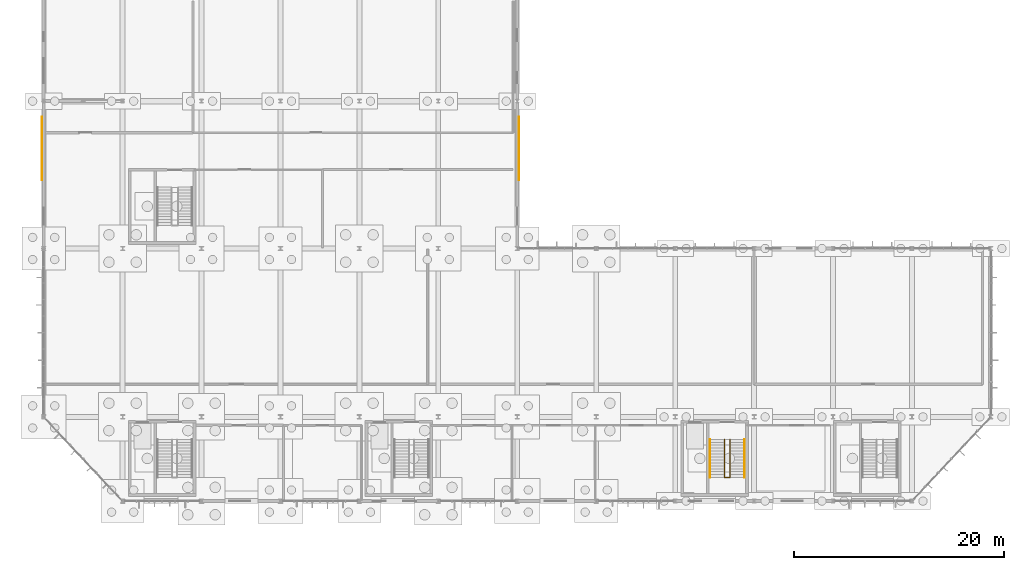
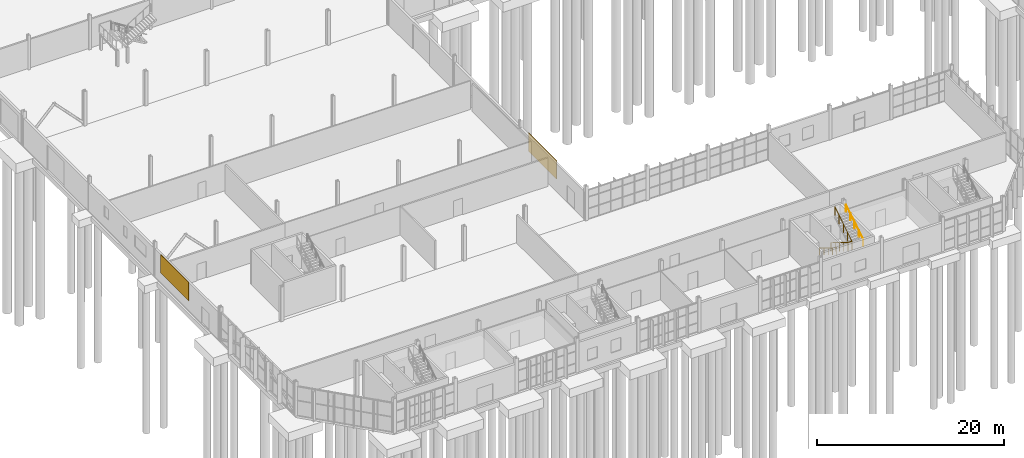
# One storey, part 121 of 136: 3 railings, 2 coverings.
"""IFC4 building model written with IfcOpenShell, lengths in metres."""

import ifcopenshell
import ifcopenshell.guid

model = None  # the IFC model being written
_history = None  # IfcOwnerHistory: only IFC2X3 demands one
_inside = {}  # id of a spatial element -> (the spatial element, [elements in it])
_under = {}  # id of a project, library or spatial element -> (it, [spatial elements below it])
_declared = {}  # id of a project -> (the project, [libraries it declares])
_typed = {}  # id of a type object -> (the type object, [elements of that type])
_made_of = {}  # id of a material, layer set ... -> (it, [elements and type objects made of it])


def new_model(schema):
    """Start an empty IFC model of exactly this schema.

    Asked for "IFC4X3", IfcOpenShell would pick the latest addendum, in which some entities
    have other attributes; the version numbers below select the first issue.
    IFC2X3 requires an IfcOwnerHistory on every rooted entity: one is made here for all.
    """
    global model, _history
    if schema == "IFC4X3":
        model = ifcopenshell.file(schema_version=(4, 3, 0, 0))
    else:
        model = ifcopenshell.file(schema=schema)
    _inside.clear()
    _under.clear()
    _declared.clear()
    _typed.clear()
    _made_of.clear()
    _history = None
    if model.schema == "IFC2X3":
        org = make("IfcOrganization", Name="unknown")
        user = make(
            "IfcPersonAndOrganization",
            ThePerson=make("IfcPerson", FamilyName="unknown"),
            TheOrganization=org,
        )
        app = make(
            "IfcApplication",
            ApplicationDeveloper=org,
            Version="unknown",
            ApplicationFullName="unknown",
            ApplicationIdentifier="unknown",
        )
        _history = make(
            "IfcOwnerHistory",
            OwningUser=user,
            OwningApplication=app,
            ChangeAction="ADDED",
            CreationDate=0,
        )
    return model


def make(cls, **values):
    """One entity of the class cls with the attributes given. An attribute that is None is left unset."""
    return model.create_entity(
        cls, **{name: value for name, value in values.items() if value is not None}
    )


def rooted(cls, **values):
    """An entity with a GlobalId (a new one), such as an element, a storey or a relation."""
    return make(cls, GlobalId=ifcopenshell.guid.new(), OwnerHistory=_history, **values)


def si_unit(unit_type, name, prefix=None):
    """IfcSIUnit, for example si_unit("LENGTHUNIT", "METRE", prefix="MILLI")."""
    return make("IfcSIUnit", UnitType=unit_type, Prefix=prefix, Name=name)


def assignment(units):
    """IfcUnitAssignment: the units of a project."""
    return None if units is None else make("IfcUnitAssignment", Units=units)


def point(xyz):
    """IfcCartesianPoint."""
    return None if xyz is None else make("IfcCartesianPoint", Coordinates=xyz)


def direction(xyz):
    """IfcDirection."""
    return None if xyz is None else make("IfcDirection", DirectionRatios=xyz)


def frame(location, z_axis=None, x_axis=None):
    """IfcAxis2Placement3D, a coordinate frame: its origin and axes. An axis left out is left unset."""
    return make(
        "IfcAxis2Placement3D",
        Location=point(location),
        Axis=direction(z_axis),
        RefDirection=direction(x_axis),
    )


def frame_2d(location, x_axis=None):
    """IfcAxis2Placement2D, a coordinate frame in the plane: its origin and x axis."""
    return make(
        "IfcAxis2Placement2D", Location=point(location), RefDirection=direction(x_axis)
    )


def origin():
    """The frame at (0, 0, 0) with its axes left unset."""
    return frame((0.0, 0.0, 0.0))


def origin_2d():
    """The frame at (0, 0) in the plane with its x axis left unset."""
    return frame_2d((0.0, 0.0))


def place(relative_to, where):
    """IfcLocalPlacement: puts the frame where relative to a parent placement (None: the world)."""
    return make(
        "IfcLocalPlacement", PlacementRelTo=relative_to, RelativePlacement=where
    )


def context(
    kind, dimensions, precision=None, world=None, true_north=None, identifier=None
):
    """IfcGeometricRepresentationContext, for example the 3D "Model" context."""
    return make(
        "IfcGeometricRepresentationContext",
        ContextIdentifier=identifier,
        ContextType=kind,
        CoordinateSpaceDimension=dimensions,
        Precision=precision,
        WorldCoordinateSystem=world,
        TrueNorth=true_north,
    )


def subcontext(parent, identifier, kind, view, scale=None):
    """IfcGeometricRepresentationSubContext, for example "Body" below "Model"."""
    return make(
        "IfcGeometricRepresentationSubContext",
        ContextIdentifier=identifier,
        ContextType=kind,
        ParentContext=parent,
        TargetScale=scale,
        TargetView=view,
    )


def project(units=None, contexts=None):
    """IfcProject with its units and contexts."""
    return rooted(
        "IfcProject",
        Name="project",
        RepresentationContexts=contexts,
        UnitsInContext=assignment(units),
    )


def spatial(cls, under=None, at=None, **own):
    """A site, building, storey or space (cls), placed at a placement, below another one or the project."""
    s = rooted(cls, ObjectPlacement=at, **own)
    if under is not None:
        _under.setdefault(under.id(), (under, []))[1].append(s)
    return s


def profile(cls, at=None, kind="AREA", **sizes):
    """A parametric profile (cls). Its sizes go by their IFC names, for example OverallWidth=200.0."""
    return make(cls, ProfileType=kind, Position=at, **sizes)


def rectangle(**sizes):
    """IfcRectangleProfileDef."""
    return profile("IfcRectangleProfileDef", **sizes)


def circle(**sizes):
    """IfcCircleProfileDef."""
    return profile("IfcCircleProfileDef", **sizes)


def extrude(swept, where, along, depth):
    """IfcExtrudedAreaSolid: the profile swept, set in the frame where, extruded along a direction by depth."""
    return make(
        "IfcExtrudedAreaSolid",
        SweptArea=swept,
        Position=where,
        ExtrudedDirection=direction(along),
        Depth=depth,
    )


def shape(context_of_items, identifier, shape_type, items):
    """IfcShapeRepresentation: the items that make up one representation, for example the "Body"."""
    return make(
        "IfcShapeRepresentation",
        ContextOfItems=context_of_items,
        RepresentationIdentifier=identifier,
        RepresentationType=shape_type,
        Items=items,
    )


def material(Name=None, Category=None):
    """IfcMaterial."""
    return make("IfcMaterial", Name=Name, Category=Category)


def layer(
    of_material, thickness, ventilated=None, Name=None, Category=None, Priority=None
):
    """IfcMaterialLayer: one layer of a wall or slab, of a material (None: an air gap)."""
    return make(
        "IfcMaterialLayer",
        Material=of_material,
        LayerThickness=thickness,
        IsVentilated=ventilated,
        Name=Name,
        Category=Category,
        Priority=Priority,
    )


def layer_set(layers, Name=None):
    """IfcMaterialLayerSet."""
    return make("IfcMaterialLayerSet", MaterialLayers=layers, LayerSetName=Name)


def made_of(thing, what):
    """Note that an element or type object is made of a material, layer set ...; save() writes the relation."""
    if what is not None:
        _made_of.setdefault(what.id(), (what, []))[1].append(thing)
    return thing


def type_object(cls, material=None, **own):
    """A type object (cls), such as IfcWallType, which elements share."""
    return made_of(rooted(cls, **own), material)


def element(
    cls,
    number,
    at=None,
    inside=None,
    cuts=None,
    type_object=None,
    material=None,
    context=None,
    identifier="Body",
    shape_type=None,
    held_by="IfcProductDefinitionShape",
    body=None,
    shapes=None,
    **own,
):
    """One element of the class cls, such as IfcWall. Its Tag is "e" and its number.

    at: its placement. inside: the storey or other place that contains it. cuts: it is an
    opening in that element (IfcRelVoidsElement). A single representation is given by context,
    identifier, shape_type and body (its items); several are given by shapes. held_by: the class
    of the entity that holds the representations. save() writes the other relations.
    """
    e = rooted(cls, Tag="e%d" % number, ObjectPlacement=at, **own)
    if body is not None:
        shapes = [shape(context, identifier, shape_type, body)]
    if shapes is not None:
        e.Representation = make(held_by, Representations=shapes)
    if inside is not None:
        _inside.setdefault(inside.id(), (inside, []))[1].append(e)
    if cuts is not None:
        rooted(
            "IfcRelVoidsElement", RelatingBuildingElement=cuts, RelatedOpeningElement=e
        )
    if type_object is not None:
        _typed.setdefault(type_object.id(), (type_object, []))[1].append(e)
    return made_of(e, material)


def aggregate(whole, parts):
    """IfcRelAggregates: a whole, such as a stair, and the parts it consists of."""
    return rooted("IfcRelAggregates", RelatingObject=whole, RelatedObjects=parts)


def save(model, path):
    """Write the relations noted so far, then the file.

    IfcRelAggregates (storeys below a building ...), IfcRelContainedInSpatialStructure (elements
    in a storey), IfcRelDefinesByType, IfcRelAssociatesMaterial and IfcRelDeclares: one each for
    every whole, place, type object, material and project.
    """
    for whole, parts in _under.values():
        aggregate(whole, parts)
    for where, things in _inside.values():
        rooted(
            "IfcRelContainedInSpatialStructure",
            RelatedElements=things,
            RelatingStructure=where,
        )
    for kind, things in _typed.values():
        rooted("IfcRelDefinesByType", RelatedObjects=things, RelatingType=kind)
    for what, things in _made_of.values():
        rooted("IfcRelAssociatesMaterial", RelatedObjects=things, RelatingMaterial=what)
    for by, libraries in _declared.values():
        rooted("IfcRelDeclares", RelatingContext=by, RelatedDefinitions=libraries)
    model.write(path)


model = new_model("IFC4")

# Units and contexts
model_context = context("Model", 3, precision=1e-05, world=origin(), true_north=direction((0.0, 1.0)))
body_context = subcontext(model_context, "Body", "Model", "MODEL_VIEW")
ifc_project = project(units=[si_unit("LENGTHUNIT", "METRE"), si_unit("AREAUNIT", "SQUARE_METRE"), si_unit("VOLUMEUNIT", "CUBIC_METRE"), si_unit("PLANEANGLEUNIT", "RADIAN"), si_unit("MASSUNIT", "GRAM", prefix="KILO")], contexts=[model_context])

# Site, building, storey
site_placement = place(None, origin())
site = spatial("IfcSite", under=ifc_project, at=site_placement, CompositionType="ELEMENT")
building_placement = place(site_placement, origin())
building = spatial("IfcBuilding", under=site, at=building_placement, Name="Solvenia Promenade Tram Depot", CompositionType="ELEMENT")
storey_placement = place(building_placement, origin())
storey = spatial("IfcBuildingStorey", under=building, at=storey_placement, Name="L00", CompositionType="ELEMENT", Elevation=0.0)

# Railings
ifc_material = material(Name="Anodized aluminium AW-6063 T6", Category="aluminium")
railing_type_1 = type_object("IfcRailingType", Name="Guard-Stair-1100", PredefinedType="GUARDRAIL", material=ifc_material)
railing_1_placement = place(storey_placement, frame((64.7099609375, 5.8701171875, 0.0)))
element("IfcRailing", 1, at=railing_1_placement, inside=storey, type_object=railing_type_1, Name="Stair Inner Well Guard ST-03-L00", PredefinedType="GUARDRAIL", context=body_context, shape_type="SweptSolid", body=[
    extrude(circle(Radius=0.02392578125, at=origin_2d()), frame((0.0, 0.0, 1.09619140625), z_axis=(0.0, -0.850622404505, 0.525777067734), x_axis=(1.0, 0.0, 0.0)), (0.0, 0.0, 1.0), 4.279296875),
    extrude(circle(Radius=0.02392578125, at=origin_2d()), frame((0.0, -3.64013671875, 3.34619140625), z_axis=(1.0, 0.0, 0.0), x_axis=(0.0, 1.0, 0.0)), (0.0, 0.0, 1.0), 0.47998046875),
    extrude(circle(Radius=0.02392578125, at=origin_2d()), frame((0.47998046875, -3.64013671875, 3.34619140625), z_axis=(0.0, 0.850622404505, 0.525777067734), x_axis=(-1.0, 0.0, 0.0)), (0.0, 0.0, 1.0), 4.279296875),
    extrude(circle(Radius=0.02099609375, at=origin_2d()), origin(), (0.0, 0.0, 1.0), 1.072021484375),
    extrude(circle(Radius=0.02099609375, at=origin_2d()), frame((0.0, -0.91015625, 0.5625)), (0.0, 0.0, 1.0), 1.072021484375),
    extrude(circle(Radius=0.02099609375, at=origin_2d()), frame((0.0, -1.820068359375, 1.125)), (0.0, 0.0, 1.0), 1.072021484375),
    extrude(circle(Radius=0.02099609375, at=origin_2d()), frame((0.0, -2.72998046875, 1.6875)), (0.0, 0.0, 1.0), 1.072021484375),
    extrude(circle(Radius=0.02099609375, at=origin_2d()), frame((0.0, -3.64013671875, 2.25)), (0.0, 0.0, 1.0), 1.072021484375),
    extrude(circle(Radius=0.02099609375, at=origin_2d()), frame((0.47998046875, -3.64013671875, 2.25)), (0.0, 0.0, 1.0), 1.072021484375),
    extrude(circle(Radius=0.02099609375, at=origin_2d()), frame((0.47998046875, -2.72998046875, 2.8125)), (0.0, 0.0, 1.0), 1.072021484375),
    extrude(circle(Radius=0.02099609375, at=origin_2d()), frame((0.47998046875, -1.820068359375, 3.375)), (0.0, 0.0, 1.0), 1.072021484375),
    extrude(circle(Radius=0.02099609375, at=origin_2d()), frame((0.47998046875, -0.91015625, 3.9375)), (0.0, 0.0, 1.0), 1.072021484375),
    extrude(circle(Radius=0.02099609375, at=origin_2d()), frame((0.47998046875, 0.0, 4.5)), (0.0, 0.0, 1.0), 1.072021484375),
])
railing_type_2 = type_object("IfcRailingType", Name="Handrail-Stair-920", PredefinedType="HANDRAIL", material=ifc_material)
railing_2_placement = place(storey_placement, frame((63.320068359375, 5.8701171875, 0.0)))
element("IfcRailing", 2, at=railing_2_placement, inside=storey, type_object=railing_type_2, Name="Stair Wall Handrail ST-03-L00-F1", PredefinedType="HANDRAIL", context=body_context, shape_type="SweptSolid", body=[
    extrude(circle(Radius=0.02392578125, at=origin_2d()), frame((0.0, 0.0, 0.89599609375), z_axis=(0.0, -0.850622404505, 0.525777067734), x_axis=(1.0, 0.0, 0.0)), (0.0, 0.0, 1.0), 4.279296875),
    extrude(circle(Radius=0.02099609375, at=origin_2d()), origin(), (0.0, 0.0, 1.0), 0.871826171875),
    extrude(circle(Radius=0.02099609375, at=origin_2d()), frame((0.0, -0.91015625, 0.5625)), (0.0, 0.0, 1.0), 0.871826171875),
    extrude(circle(Radius=0.02099609375, at=origin_2d()), frame((0.0, -1.820068359375, 1.125)), (0.0, 0.0, 1.0), 0.871826171875),
    extrude(circle(Radius=0.02099609375, at=origin_2d()), frame((0.0, -2.72998046875, 1.6875)), (0.0, 0.0, 1.0), 0.871826171875),
    extrude(circle(Radius=0.02099609375, at=origin_2d()), frame((0.0, -3.64013671875, 2.25)), (0.0, 0.0, 1.0), 0.871826171875),
])
railing_3_placement = place(storey_placement, frame((66.580078125, 2.22998046875, 2.25)))
element("IfcRailing", 3, at=railing_3_placement, inside=storey, type_object=railing_type_2, Name="Stair Wall Handrail ST-03-L00-F2", PredefinedType="HANDRAIL", context=body_context, shape_type="SweptSolid", body=[
    extrude(circle(Radius=0.02392578125, at=origin_2d()), frame((0.0, 0.0, 0.89599609375), z_axis=(0.0, 0.850622404505, 0.525777067734), x_axis=(-1.0, 0.0, 0.0)), (0.0, 0.0, 1.0), 4.279296875),
    extrude(circle(Radius=0.02099609375, at=origin_2d()), origin(), (0.0, 0.0, 1.0), 0.871826171875),
    extrude(circle(Radius=0.02099609375, at=origin_2d()), frame((0.0, 0.91015625, 0.5625)), (0.0, 0.0, 1.0), 0.871826171875),
    extrude(circle(Radius=0.02099609375, at=origin_2d()), frame((0.0, 1.820068359375, 1.125)), (0.0, 0.0, 1.0), 0.871826171875),
    extrude(circle(Radius=0.02099609375, at=origin_2d()), frame((0.0, 2.72998046875, 1.6875)), (0.0, 0.0, 1.0), 0.871826171875),
    extrude(circle(Radius=0.02099609375, at=origin_2d()), frame((0.0, 3.64013671875, 2.25)), (0.0, 0.0, 1.0), 0.871826171875),
])

# Coverings
ifc_layer = layer(ifc_material, 0.06005859375, Name="Anodized aluminium AW-6063 T6", Category="aluminium")
ifc_layer_set = layer_set([ifc_layer], Name="Anodized aluminium AW-6063 T6")
covering_type = type_object("IfcCoveringType", Name="Screen-Perf-60", PredefinedType="CLADDING", material=ifc_layer_set)
for number, where, z_axis, x_axis, name in (
    (4, (-0.14990234375, 33.5, 1.300048828125), (0.0, 0.0, 1.0), (1.0, 0.0, 0.0), "Perforated Aluminium Rainscreen V3-W"),
    (5, (45.14990234375, 33.5, 1.300048828125), (0.0, 0.0, 1.0), (1.0, 0.0, 0.0), "Perforated Aluminium Rainscreen V3-E"),
):
    element("IfcCovering", number, at=place(storey_placement, frame(where, z_axis=z_axis, x_axis=x_axis)), inside=storey, type_object=covering_type, Name=name, PredefinedType="CLADDING", context=body_context, shape_type="SweptSolid", body=[
        extrude(rectangle(XDim=0.06005859375, YDim=6.0, at=origin_2d()), origin(), (0.0, 0.0, 1.0), 2.39990234375),
    ])

save(model, "model.ifc")
